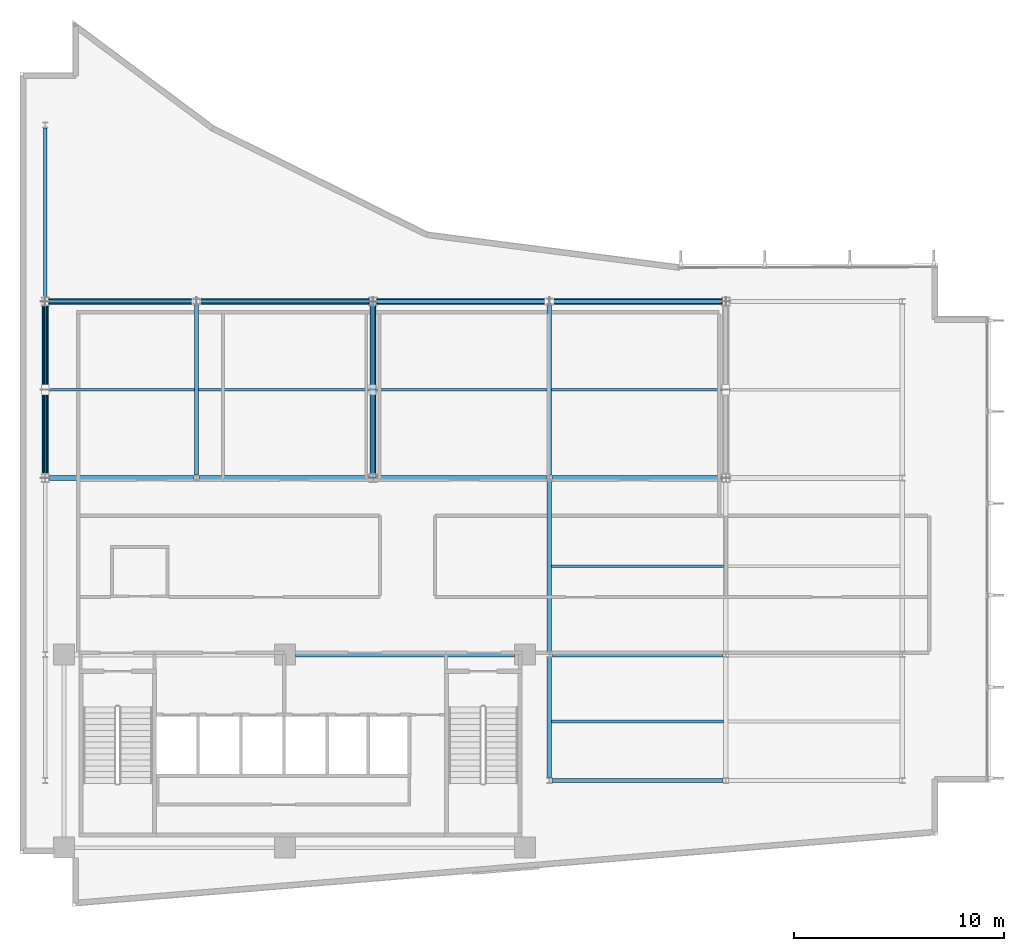
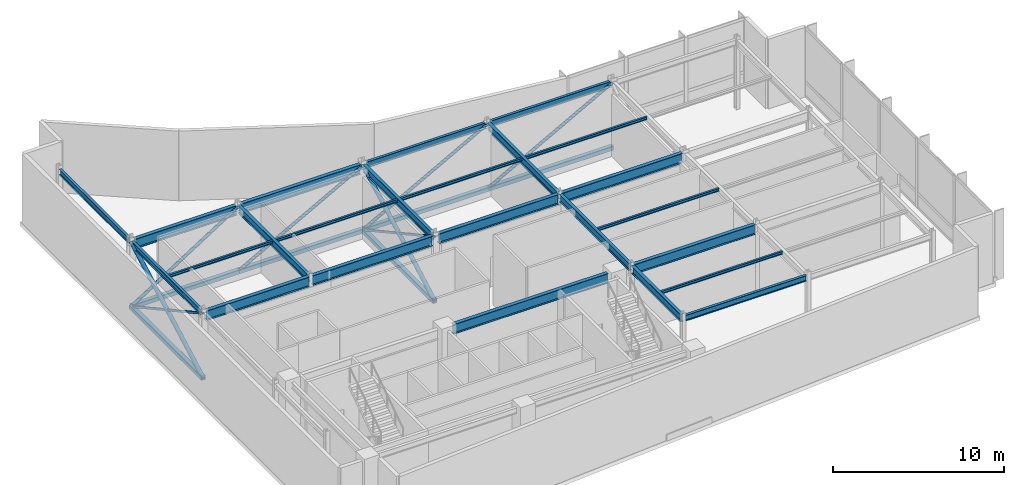
# One storey, part 4 of 15: 24 beams, 16 members.
"""IFC4 building model written with IfcOpenShell, lengths in metres."""

import ifcopenshell
import ifcopenshell.guid

model = None  # the IFC model being written
_history = None  # IfcOwnerHistory: only IFC2X3 demands one
_inside = {}  # id of a spatial element -> (the spatial element, [elements in it])
_under = {}  # id of a project, library or spatial element -> (it, [spatial elements below it])
_declared = {}  # id of a project -> (the project, [libraries it declares])
_typed = {}  # id of a type object -> (the type object, [elements of that type])
_made_of = {}  # id of a material, layer set ... -> (it, [elements and type objects made of it])


def new_model(schema):
    """Start an empty IFC model of exactly this schema.

    Asked for "IFC4X3", IfcOpenShell would pick the latest addendum, in which some entities
    have other attributes; the version numbers below select the first issue.
    IFC2X3 requires an IfcOwnerHistory on every rooted entity: one is made here for all.
    """
    global model, _history
    if schema == "IFC4X3":
        model = ifcopenshell.file(schema_version=(4, 3, 0, 0))
    else:
        model = ifcopenshell.file(schema=schema)
    _inside.clear()
    _under.clear()
    _declared.clear()
    _typed.clear()
    _made_of.clear()
    _history = None
    if model.schema == "IFC2X3":
        org = make("IfcOrganization", Name="unknown")
        user = make(
            "IfcPersonAndOrganization",
            ThePerson=make("IfcPerson", FamilyName="unknown"),
            TheOrganization=org,
        )
        app = make(
            "IfcApplication",
            ApplicationDeveloper=org,
            Version="unknown",
            ApplicationFullName="unknown",
            ApplicationIdentifier="unknown",
        )
        _history = make(
            "IfcOwnerHistory",
            OwningUser=user,
            OwningApplication=app,
            ChangeAction="ADDED",
            CreationDate=0,
        )
    return model


def make(cls, **values):
    """One entity of the class cls with the attributes given. An attribute that is None is left unset."""
    return model.create_entity(
        cls, **{name: value for name, value in values.items() if value is not None}
    )


def rooted(cls, **values):
    """An entity with a GlobalId (a new one), such as an element, a storey or a relation."""
    return make(cls, GlobalId=ifcopenshell.guid.new(), OwnerHistory=_history, **values)


def si_unit(unit_type, name, prefix=None):
    """IfcSIUnit, for example si_unit("LENGTHUNIT", "METRE", prefix="MILLI")."""
    return make("IfcSIUnit", UnitType=unit_type, Prefix=prefix, Name=name)


def assignment(units):
    """IfcUnitAssignment: the units of a project."""
    return None if units is None else make("IfcUnitAssignment", Units=units)


def point(xyz):
    """IfcCartesianPoint."""
    return None if xyz is None else make("IfcCartesianPoint", Coordinates=xyz)


def direction(xyz):
    """IfcDirection."""
    return None if xyz is None else make("IfcDirection", DirectionRatios=xyz)


def frame(location, z_axis=None, x_axis=None):
    """IfcAxis2Placement3D, a coordinate frame: its origin and axes. An axis left out is left unset."""
    return make(
        "IfcAxis2Placement3D",
        Location=point(location),
        Axis=direction(z_axis),
        RefDirection=direction(x_axis),
    )


def frame_2d(location, x_axis=None):
    """IfcAxis2Placement2D, a coordinate frame in the plane: its origin and x axis."""
    return make(
        "IfcAxis2Placement2D", Location=point(location), RefDirection=direction(x_axis)
    )


def origin():
    """The frame at (0, 0, 0) with its axes left unset."""
    return frame((0.0, 0.0, 0.0))


def origin_2d():
    """The frame at (0, 0) in the plane with its x axis left unset."""
    return frame_2d((0.0, 0.0))


def place(relative_to, where):
    """IfcLocalPlacement: puts the frame where relative to a parent placement (None: the world)."""
    return make(
        "IfcLocalPlacement", PlacementRelTo=relative_to, RelativePlacement=where
    )


def context(
    kind, dimensions, precision=None, world=None, true_north=None, identifier=None
):
    """IfcGeometricRepresentationContext, for example the 3D "Model" context."""
    return make(
        "IfcGeometricRepresentationContext",
        ContextIdentifier=identifier,
        ContextType=kind,
        CoordinateSpaceDimension=dimensions,
        Precision=precision,
        WorldCoordinateSystem=world,
        TrueNorth=true_north,
    )


def subcontext(parent, identifier, kind, view, scale=None):
    """IfcGeometricRepresentationSubContext, for example "Body" below "Model"."""
    return make(
        "IfcGeometricRepresentationSubContext",
        ContextIdentifier=identifier,
        ContextType=kind,
        ParentContext=parent,
        TargetScale=scale,
        TargetView=view,
    )


def project(units=None, contexts=None):
    """IfcProject with its units and contexts."""
    return rooted(
        "IfcProject",
        Name="project",
        RepresentationContexts=contexts,
        UnitsInContext=assignment(units),
    )


def spatial(cls, under=None, at=None, **own):
    """A site, building, storey or space (cls), placed at a placement, below another one or the project."""
    s = rooted(cls, ObjectPlacement=at, **own)
    if under is not None:
        _under.setdefault(under.id(), (under, []))[1].append(s)
    return s


def profile(cls, at=None, kind="AREA", **sizes):
    """A parametric profile (cls). Its sizes go by their IFC names, for example OverallWidth=200.0."""
    return make(cls, ProfileType=kind, Position=at, **sizes)


def hollow_rectangle(**sizes):
    """IfcRectangleHollowProfileDef."""
    return profile("IfcRectangleHollowProfileDef", **sizes)


def hollow_circle(**sizes):
    """IfcCircleHollowProfileDef."""
    return profile("IfcCircleHollowProfileDef", **sizes)


def i_section(**sizes):
    """IfcIShapeProfileDef."""
    return profile("IfcIShapeProfileDef", **sizes)


def extrude(swept, where, along, depth):
    """IfcExtrudedAreaSolid: the profile swept, set in the frame where, extruded along a direction by depth."""
    return make(
        "IfcExtrudedAreaSolid",
        SweptArea=swept,
        Position=where,
        ExtrudedDirection=direction(along),
        Depth=depth,
    )


def shape(context_of_items, identifier, shape_type, items):
    """IfcShapeRepresentation: the items that make up one representation, for example the "Body"."""
    return make(
        "IfcShapeRepresentation",
        ContextOfItems=context_of_items,
        RepresentationIdentifier=identifier,
        RepresentationType=shape_type,
        Items=items,
    )


def material(Name=None, Category=None):
    """IfcMaterial."""
    return make("IfcMaterial", Name=Name, Category=Category)


def material_profile(
    of_material, cross_section, Name=None, Category=None, Priority=None
):
    """IfcMaterialProfile: a cross section and its material."""
    return make(
        "IfcMaterialProfile",
        Name=Name,
        Material=of_material,
        Profile=cross_section,
        Priority=Priority,
        Category=Category,
    )


def profile_set(profiles, Name=None, composite=None):
    """IfcMaterialProfileSet."""
    return make(
        "IfcMaterialProfileSet",
        Name=Name,
        MaterialProfiles=profiles,
        CompositeProfile=composite,
    )


def made_of(thing, what):
    """Note that an element or type object is made of a material, layer set ...; save() writes the relation."""
    if what is not None:
        _made_of.setdefault(what.id(), (what, []))[1].append(thing)
    return thing


def type_object(cls, material=None, **own):
    """A type object (cls), such as IfcWallType, which elements share."""
    return made_of(rooted(cls, **own), material)


def element(
    cls,
    number,
    at=None,
    inside=None,
    cuts=None,
    type_object=None,
    material=None,
    context=None,
    identifier="Body",
    shape_type=None,
    held_by="IfcProductDefinitionShape",
    body=None,
    shapes=None,
    **own,
):
    """One element of the class cls, such as IfcWall. Its Tag is "e" and its number.

    at: its placement. inside: the storey or other place that contains it. cuts: it is an
    opening in that element (IfcRelVoidsElement). A single representation is given by context,
    identifier, shape_type and body (its items); several are given by shapes. held_by: the class
    of the entity that holds the representations. save() writes the other relations.
    """
    e = rooted(cls, Tag="e%d" % number, ObjectPlacement=at, **own)
    if body is not None:
        shapes = [shape(context, identifier, shape_type, body)]
    if shapes is not None:
        e.Representation = make(held_by, Representations=shapes)
    if inside is not None:
        _inside.setdefault(inside.id(), (inside, []))[1].append(e)
    if cuts is not None:
        rooted(
            "IfcRelVoidsElement", RelatingBuildingElement=cuts, RelatedOpeningElement=e
        )
    if type_object is not None:
        _typed.setdefault(type_object.id(), (type_object, []))[1].append(e)
    return made_of(e, material)


def aggregate(whole, parts):
    """IfcRelAggregates: a whole, such as a stair, and the parts it consists of."""
    return rooted("IfcRelAggregates", RelatingObject=whole, RelatedObjects=parts)


def save(model, path):
    """Write the relations noted so far, then the file.

    IfcRelAggregates (storeys below a building ...), IfcRelContainedInSpatialStructure (elements
    in a storey), IfcRelDefinesByType, IfcRelAssociatesMaterial and IfcRelDeclares: one each for
    every whole, place, type object, material and project.
    """
    for whole, parts in _under.values():
        aggregate(whole, parts)
    for where, things in _inside.values():
        rooted(
            "IfcRelContainedInSpatialStructure",
            RelatedElements=things,
            RelatingStructure=where,
        )
    for kind, things in _typed.values():
        rooted("IfcRelDefinesByType", RelatedObjects=things, RelatingType=kind)
    for what, things in _made_of.values():
        rooted("IfcRelAssociatesMaterial", RelatedObjects=things, RelatingMaterial=what)
    for by, libraries in _declared.values():
        rooted("IfcRelDeclares", RelatingContext=by, RelatedDefinitions=libraries)
    model.write(path)


model = new_model("IFC4")

# Units and contexts
model_context = context("Model", 3, precision=1e-05, world=origin(), true_north=direction((0.0, 1.0)))
body_context = subcontext(model_context, "Body", "Model", "MODEL_VIEW")
ifc_project = project(units=[si_unit("LENGTHUNIT", "METRE"), si_unit("AREAUNIT", "SQUARE_METRE"), si_unit("VOLUMEUNIT", "CUBIC_METRE"), si_unit("PLANEANGLEUNIT", "RADIAN"), si_unit("MASSUNIT", "GRAM", prefix="KILO")], contexts=[model_context])

# Site, building, storey
site_placement = place(None, origin())
site = spatial("IfcSite", under=ifc_project, at=site_placement, CompositionType="ELEMENT")
building_placement = place(site_placement, origin())
building = spatial("IfcBuilding", under=site, at=building_placement, Name="Varnakote Quay Hospital", CompositionType="ELEMENT")
storey_placement = place(building_placement, frame((0.0, 0.0, 235.550048828125)))
storey = spatial("IfcBuildingStorey", under=building, at=storey_placement, Name="L58", CompositionType="ELEMENT", Elevation=235.550048828125)

# Beams
ifc_material_1 = material(Name="Structural steel AS/NZS 3679.1 Grade 350 L0 (fy 340 MPa)", Category="steel")
ifc_material_profile_1 = material_profile(ifc_material_1, i_section(OverallWidth=0.208984375, OverallDepth=0.528076171875, WebThickness=0.009521484375, FlangeThickness=0.01318359375, FilletRadius=0.013916015625, at=origin_2d()), Name="530UB82.0")
ifc_profile_set_1 = profile_set([ifc_material_profile_1], Name="Structural steel AS/NZS 3679.1 Grade 350 L0 (fy 340 MPa)")
beam_type_1 = type_object("IfcBeamType", Name="BM-STL-530UB82-0", PredefinedType="BEAM", material=ifc_profile_set_1)
beam_1_placement = place(storey_placement, frame((8.39990234375, 20.530029296875, 4.696044921875), z_axis=(0.0, 1.0, 0.0), x_axis=(-1.0, 0.0, 0.0)))
element("IfcBeam", 1, at=beam_1_placement, inside=storey, type_object=beam_type_1, Name="L58 Primary Tie Beam", PredefinedType="BEAM", context=body_context, shape_type="SweptSolid", body=[
    extrude(i_section(OverallWidth=0.208984375, OverallDepth=0.528076171875, WebThickness=0.009521484375, FlangeThickness=0.01318359375, FilletRadius=0.013916015625, at=origin_2d()), origin(), (0.0, 0.0, 1.0), 8.139892578125),
])
beam_2_placement = place(storey_placement, frame((16.800048828125, 20.60205078125, 4.696044921875), z_axis=(0.0, 1.0, 0.0), x_axis=(-1.0, 0.0, 0.0)))
element("IfcBeam", 2, at=beam_2_placement, inside=storey, type_object=beam_type_1, Name="L58 Primary Tie Beam", PredefinedType="BEAM", context=body_context, shape_type="SweptSolid", body=[
    extrude(i_section(OverallWidth=0.208984375, OverallDepth=0.528076171875, WebThickness=0.009521484375, FlangeThickness=0.01318359375, FilletRadius=0.013916015625, at=origin_2d()), origin(), (0.0, 0.0, 1.0), 7.995849609375),
])
beam_3_placement = place(storey_placement, frame((25.199951171875, 6.1298828125, 4.696044921875), z_axis=(0.0, 1.0, 0.0), x_axis=(-1.0, 0.0, 0.0)))
element("IfcBeam", 3, at=beam_3_placement, inside=storey, type_object=beam_type_1, Name="L58 Primary Tie Beam", PredefinedType="BEAM", context=body_context, shape_type="SweptSolid", body=[
    extrude(i_section(OverallWidth=0.208984375, OverallDepth=0.528076171875, WebThickness=0.009521484375, FlangeThickness=0.01318359375, FilletRadius=0.013916015625, at=origin_2d()), origin(), (0.0, 0.0, 1.0), 5.740234375),
])
beam_4_placement = place(storey_placement, frame((25.199951171875, 12.1298828125, 4.696044921875), z_axis=(0.0, 1.0, 0.0), x_axis=(-1.0, 0.0, 0.0)))
element("IfcBeam", 4, at=beam_4_placement, inside=storey, type_object=beam_type_1, Name="L58 Primary Tie Beam", PredefinedType="BEAM", context=body_context, shape_type="SweptSolid", body=[
    extrude(i_section(OverallWidth=0.208984375, OverallDepth=0.528076171875, WebThickness=0.009521484375, FlangeThickness=0.01318359375, FilletRadius=0.013916015625, at=origin_2d()), origin(), (0.0, 0.0, 1.0), 8.14013671875),
])
beam_5_placement = place(storey_placement, frame((25.199951171875, 20.530029296875, 4.696044921875), z_axis=(0.0, 1.0, 0.0), x_axis=(-1.0, 0.0, 0.0)))
element("IfcBeam", 5, at=beam_5_placement, inside=storey, type_object=beam_type_1, Name="L58 Primary Tie Beam", PredefinedType="BEAM", context=body_context, shape_type="SweptSolid", body=[
    extrude(i_section(OverallWidth=0.208984375, OverallDepth=0.528076171875, WebThickness=0.009521484375, FlangeThickness=0.01318359375, FilletRadius=0.013916015625, at=origin_2d()), origin(), (0.0, 0.0, 1.0), 8.139892578125),
])
ifc_material_2 = material(Name="Structural steel AS/NZS 3678 Grade 350 (fy 340 MPa)", Category="steel")
ifc_material_profile_2 = material_profile(ifc_material_2, i_section(OverallWidth=0.25, OverallDepth=0.699951171875, WebThickness=0.010009765625, FlangeThickness=0.02001953125, at=origin_2d()), Name="700WB130")
ifc_profile_set_2 = profile_set([ifc_material_profile_2], Name="Structural steel AS/NZS 3678 Grade 350 (fy 340 MPa)")
beam_type_2 = type_object("IfcBeamType", Name="BM-STL-700WB130", PredefinedType="BEAM", material=ifc_profile_set_2)
beam_6_placement = place(storey_placement, frame((13.1201171875, 12.0, 4.60986328125), z_axis=(1.0, 0.0, 0.0), x_axis=(0.0, 1.0, 0.0)))
element("IfcBeam", 6, at=beam_6_placement, inside=storey, type_object=beam_type_2, Name="L58 Primary Floor Beam", PredefinedType="BEAM", context=body_context, shape_type="SweptSolid", body=[
    extrude(i_section(OverallWidth=0.25, OverallDepth=0.699951171875, WebThickness=0.010009765625, FlangeThickness=0.02001953125, at=origin_2d()), origin(), (0.0, 0.0, 1.0), 10.429931640625),
])
beam_7_placement = place(storey_placement, frame((25.327880859375, 12.0, 4.60986328125), z_axis=(1.0, 0.0, 0.0), x_axis=(0.0, 1.0, 0.0)))
element("IfcBeam", 7, at=beam_7_placement, inside=storey, type_object=beam_type_2, Name="L58 Primary Floor Beam", PredefinedType="BEAM", context=body_context, shape_type="SweptSolid", body=[
    extrude(i_section(OverallWidth=0.25, OverallDepth=0.699951171875, WebThickness=0.010009765625, FlangeThickness=0.02001953125, at=origin_2d()), origin(), (0.0, 0.0, 1.0), 8.14404296875),
])
beam_8_placement = place(storey_placement, frame((1.39990234375, 20.39990234375, 4.60986328125), z_axis=(1.0, 0.0, 0.0), x_axis=(0.0, 1.0, 0.0)))
element("IfcBeam", 8, at=beam_8_placement, inside=storey, type_object=beam_type_2, Name="L58 Primary Floor Beam", PredefinedType="BEAM", context=body_context, shape_type="SweptSolid", body=[
    extrude(i_section(OverallWidth=0.25, OverallDepth=0.699951171875, WebThickness=0.010009765625, FlangeThickness=0.02001953125, at=origin_2d()), origin(), (0.0, 0.0, 1.0), 6.8720703125),
])
for number, where, z_axis, x_axis, name in (
    (9, (8.528076171875, 20.39990234375, 4.60986328125), (1.0, 0.0, 0.0), (0.0, 1.0, 0.0), "L58 Primary Floor Beam"),
    (10, (17.0, 20.39990234375, 4.60986328125), (1.0, 0.0, 0.0), (0.0, 1.0, 0.0), "L58 Primary Floor Beam"),
    (11, (25.327880859375, 20.39990234375, 4.60986328125), (1.0, 0.0, 0.0), (0.0, 1.0, 0.0), "L58 Primary Floor Beam"),
):
    element("IfcBeam", number, at=place(storey_placement, frame(where, z_axis=z_axis, x_axis=x_axis)), inside=storey, type_object=beam_type_2, Name=name, PredefinedType="BEAM", context=body_context, shape_type="SweptSolid", body=[
        extrude(i_section(OverallWidth=0.25, OverallDepth=0.699951171875, WebThickness=0.010009765625, FlangeThickness=0.02001953125, at=origin_2d()), origin(), (0.0, 0.0, 1.0), 8.072021484375),
    ])
beam_9_placement = place(storey_placement, frame((1.39990234375, 28.800048828125, 4.60986328125), z_axis=(1.0, 0.0, 0.0), x_axis=(0.0, 1.0, 0.0)))
element("IfcBeam", 12, at=beam_9_placement, inside=storey, type_object=beam_type_2, Name="L58 Primary Floor Beam", PredefinedType="BEAM", context=body_context, shape_type="SweptSolid", body=[
    extrude(i_section(OverallWidth=0.25, OverallDepth=0.699951171875, WebThickness=0.010009765625, FlangeThickness=0.02001953125, at=origin_2d()), origin(), (0.0, 0.0, 1.0), 6.8720703125),
])
beam_10_placement = place(storey_placement, frame((8.528076171875, 28.800048828125, 4.60986328125), z_axis=(1.0, 0.0, 0.0), x_axis=(0.0, 1.0, 0.0)))
element("IfcBeam", 13, at=beam_10_placement, inside=storey, type_object=beam_type_2, Name="L58 Primary Floor Beam", PredefinedType="BEAM", context=body_context, shape_type="SweptSolid", body=[
    extrude(i_section(OverallWidth=0.25, OverallDepth=0.699951171875, WebThickness=0.010009765625, FlangeThickness=0.02001953125, at=origin_2d()), origin(), (0.0, 0.0, 1.0), 8.072021484375),
])
ifc_material_3 = material(Name="Structural steel AS/NZS 3679.1 Grade 350 L0 (fy 340 MPa)", Category="steel")
ifc_material_profile_3 = material_profile(ifc_material_3, i_section(OverallWidth=0.134033203125, OverallDepth=0.20703125, WebThickness=0.00634765625, FlangeThickness=0.009521484375, FilletRadius=0.0087890625, at=origin_2d()), Name="200UB29.8")
ifc_profile_set_3 = profile_set([ifc_material_profile_3], Name="Structural steel AS/NZS 3679.1 Grade 350 L0 (fy 340 MPa)")
beam_type_3 = type_object("IfcBeamType", Name="JST-STL-200UB29-8", PredefinedType="JOIST", material=ifc_profile_set_3)
for number, where, z_axis, x_axis, name in (
    (14, (25.304443359375, 8.800048828125, 4.8564453125), (1.0, 0.0, 0.0), (0.0, 1.0, 0.0), "L58 Composite Floor Joist"),
    (15, (25.304443359375, 16.199951171875, 4.8564453125), (1.0, 0.0, 0.0), (0.0, 1.0, 0.0), "L58 Composite Floor Joist"),
):
    element("IfcBeam", number, at=place(storey_placement, frame(where, z_axis=z_axis, x_axis=x_axis)), inside=storey, type_object=beam_type_3, Name=name, PredefinedType="JOIST", context=body_context, shape_type="SweptSolid", body=[
        extrude(i_section(OverallWidth=0.134033203125, OverallDepth=0.20703125, WebThickness=0.00634765625, FlangeThickness=0.009521484375, FilletRadius=0.0087890625, at=origin_2d()), origin(), (0.0, 0.0, 1.0), 8.191162109375),
    ])
beam_11_placement = place(storey_placement, frame((1.2890625, 24.60009765625, 4.8564453125), z_axis=(1.0, 0.0, 0.0), x_axis=(0.0, 1.0, 0.0)))
element("IfcBeam", 16, at=beam_11_placement, inside=storey, type_object=beam_type_3, Name="L58 Composite Floor Joist", PredefinedType="JOIST", context=body_context, shape_type="SweptSolid", body=[
    extrude(i_section(OverallWidth=0.134033203125, OverallDepth=0.20703125, WebThickness=0.00634765625, FlangeThickness=0.009521484375, FilletRadius=0.0087890625, at=origin_2d()), origin(), (0.0, 0.0, 1.0), 7.00634765625),
])
beam_12_placement = place(storey_placement, frame((8.50439453125, 24.60009765625, 4.8564453125), z_axis=(1.0, 0.0, 0.0), x_axis=(0.0, 1.0, 0.0)))
element("IfcBeam", 17, at=beam_12_placement, inside=storey, type_object=beam_type_3, Name="L58 Composite Floor Joist", PredefinedType="JOIST", context=body_context, shape_type="SweptSolid", body=[
    extrude(i_section(OverallWidth=0.134033203125, OverallDepth=0.20703125, WebThickness=0.00634765625, FlangeThickness=0.009521484375, FilletRadius=0.0087890625, at=origin_2d()), origin(), (0.0, 0.0, 1.0), 8.191162109375),
])
beam_13_placement = place(storey_placement, frame((16.904541015625, 24.60009765625, 4.8564453125), z_axis=(1.0, 0.0, 0.0), x_axis=(0.0, 1.0, 0.0)))
element("IfcBeam", 18, at=beam_13_placement, inside=storey, type_object=beam_type_3, Name="L58 Composite Floor Joist", PredefinedType="JOIST", context=body_context, shape_type="SweptSolid", body=[
    extrude(i_section(OverallWidth=0.134033203125, OverallDepth=0.20703125, WebThickness=0.00634765625, FlangeThickness=0.009521484375, FilletRadius=0.0087890625, at=origin_2d()), origin(), (0.0, 0.0, 1.0), 8.19091796875),
])
beam_14_placement = place(storey_placement, frame((25.304443359375, 24.60009765625, 4.8564453125), z_axis=(1.0, 0.0, 0.0), x_axis=(0.0, 1.0, 0.0)))
element("IfcBeam", 19, at=beam_14_placement, inside=storey, type_object=beam_type_3, Name="L58 Composite Floor Joist", PredefinedType="JOIST", context=body_context, shape_type="SweptSolid", body=[
    extrude(i_section(OverallWidth=0.134033203125, OverallDepth=0.20703125, WebThickness=0.00634765625, FlangeThickness=0.009521484375, FilletRadius=0.0087890625, at=origin_2d()), origin(), (0.0, 0.0, 1.0), 8.191162109375),
])

# Members
ifc_material_4 = material(Name="Structural steel AS/NZS 1163 Grade 350 C350L0 (fy 350 MPa)", Category="steel")
ifc_material_profile_4 = material_profile(ifc_material_4, hollow_circle(Radius=0.109619140625, WallThickness=0.00830078125, at=origin_2d()), Name="219.1x8.2CHS")
ifc_profile_set_4 = profile_set([ifc_material_profile_4], Name="Structural steel AS/NZS 1163 Grade 350 C350L0 (fy 350 MPa)")
member_type_1 = type_object("IfcMemberType", Name="MBR-BRC-219-1x8-2CHS", PredefinedType="BRACE", material=ifc_profile_set_4)
member_1_placement = place(storey_placement, frame((1.199951171875, 28.800048828125, 0.179931640625), z_axis=(0.842689417531, 0.0, 0.53839998661), x_axis=(0.0, 1.0, 0.0)))
element("IfcMember", 20, at=member_1_placement, inside=storey, type_object=member_type_1, Name="L58 Belt Truss Diagonal Brace", PredefinedType="BRACE", context=body_context, shape_type="SweptSolid", body=[
    extrude(hollow_circle(Radius=0.109619140625, WallThickness=0.00830078125, at=origin_2d()), origin(), (0.0, 0.0, 1.0), 8.5439453125),
])
member_2_placement = place(storey_placement, frame((8.39990234375, 28.800048828125, 0.179931640625), z_axis=(0.877095500753, 0.0, 0.480316023634), x_axis=(0.0, 1.0, 0.0)))
element("IfcMember", 21, at=member_2_placement, inside=storey, type_object=member_type_1, Name="L58 Belt Truss Diagonal Brace", PredefinedType="BRACE", context=body_context, shape_type="SweptSolid", body=[
    extrude(hollow_circle(Radius=0.109619140625, WallThickness=0.00830078125, at=origin_2d()), origin(), (0.0, 0.0, 1.0), 9.5771484375),
])
member_3_placement = place(storey_placement, frame((16.800048828125, 28.800048828125, 0.179931640625), z_axis=(0.877089619514, 0.0, 0.48032676309), x_axis=(0.0, 1.0, 0.0)))
element("IfcMember", 22, at=member_3_placement, inside=storey, type_object=member_type_1, Name="L58 Belt Truss Diagonal Brace", PredefinedType="BRACE", context=body_context, shape_type="SweptSolid", body=[
    extrude(hollow_circle(Radius=0.109619140625, WallThickness=0.00830078125, at=origin_2d()), origin(), (0.0, 0.0, 1.0), 9.576904296875),
])
member_4_placement = place(storey_placement, frame((25.199951171875, 28.800048828125, 0.179931640625), z_axis=(0.877095500753, 0.0, 0.480316023634), x_axis=(0.0, 1.0, 0.0)))
element("IfcMember", 23, at=member_4_placement, inside=storey, type_object=member_type_1, Name="L58 Belt Truss Diagonal Brace", PredefinedType="BRACE", context=body_context, shape_type="SweptSolid", body=[
    extrude(hollow_circle(Radius=0.109619140625, WallThickness=0.00830078125, at=origin_2d()), origin(), (0.0, 0.0, 1.0), 9.5771484375),
])
ifc_material_5 = material(Name="Structural steel AS/NZS 1163 Grade 350 C350L0 (fy 350 MPa)", Category="steel")
ifc_material_profile_5 = material_profile(ifc_material_5, hollow_circle(Radius=0.136474609375, WallThickness=0.00927734375, at=origin_2d()), Name="273.1x9.3CHS")
ifc_profile_set_5 = profile_set([ifc_material_profile_5], Name="Structural steel AS/NZS 1163 Grade 350 C350L0 (fy 350 MPa)")
member_type_2 = type_object("IfcMemberType", Name="MBR-BRC-273-1x9-3CHS", PredefinedType="BRACE", material=ifc_profile_set_5)
for number, where, z_axis, x_axis, name in (
    (24, (1.199951171875, 20.39990234375, 0.179931640625), (0.0, 0.877095500753, 0.480316023634), (-1.0, 0.0, 0.0), "L58 Outrigger Truss Continuous Primary Diagonal Brace"),
    (25, (16.800048828125, 20.39990234375, 0.179931640625), (0.0, 0.877095500753, 0.480316023634), (-1.0, 0.0, 0.0), "L58 Outrigger Truss Continuous Primary Diagonal Brace"),
):
    element("IfcMember", number, at=place(storey_placement, frame(where, z_axis=z_axis, x_axis=x_axis)), inside=storey, type_object=member_type_2, Name=name, PredefinedType="BRACE", context=body_context, shape_type="SweptSolid", body=[
        extrude(hollow_circle(Radius=0.136474609375, WallThickness=0.00927734375, at=origin_2d()), origin(), (0.0, 0.0, 1.0), 9.5771484375),
    ])
ifc_material_6 = material(Name="Structural steel AS/NZS 1163 Grade 350 C350L0 (fy 350 MPa)", Category="steel")
ifc_material_profile_6 = material_profile(ifc_material_6, hollow_rectangle(XDim=0.300048828125, YDim=0.300048828125, WallThickness=0.01611328125, InnerFilletRadius=0.01611328125, OuterFilletRadius=0.031982421875, at=origin_2d()), Name="300x300x16.0SHS")
ifc_profile_set_6 = profile_set([ifc_material_profile_6], Name="Structural steel AS/NZS 1163 Grade 350 C350L0 (fy 350 MPa)")
member_type_3 = type_object("IfcMemberType", Name="MBR-CHD-300x300x16-0SHS", PredefinedType="CHORD", material=ifc_profile_set_6)
for number, where, z_axis, x_axis, name in (
    (26, (1.199951171875, 20.39990234375, 0.179931640625), (0.0, 1.0, 0.0), (-1.0, 0.0, 0.0), "L58 Outrigger Truss Bottom Chord"),
    (27, (16.800048828125, 20.39990234375, 0.179931640625), (0.0, 1.0, 0.0), (-1.0, 0.0, 0.0), "L58 Outrigger Truss Bottom Chord"),
):
    element("IfcMember", number, at=place(storey_placement, frame(where, z_axis=z_axis, x_axis=x_axis)), inside=storey, type_object=member_type_3, Name=name, PredefinedType="CHORD", context=body_context, shape_type="SweptSolid", body=[
        extrude(hollow_rectangle(XDim=0.300048828125, YDim=0.300048828125, WallThickness=0.01611328125, InnerFilletRadius=0.01611328125, OuterFilletRadius=0.031982421875, at=origin_2d()), origin(), (0.0, 0.0, 1.0), 8.400146484375),
    ])
member_5_placement = place(storey_placement, frame((1.199951171875, 28.800048828125, 0.179931640625), z_axis=(1.0, 0.0, 0.0), x_axis=(0.0, 1.0, 0.0)))
element("IfcMember", 28, at=member_5_placement, inside=storey, type_object=member_type_3, Name="L58 Belt Truss Bottom Chord", PredefinedType="CHORD", context=body_context, shape_type="SweptSolid", body=[
    extrude(hollow_rectangle(XDim=0.300048828125, YDim=0.300048828125, WallThickness=0.01611328125, InnerFilletRadius=0.01611328125, OuterFilletRadius=0.031982421875, at=origin_2d()), origin(), (0.0, 0.0, 1.0), 7.199951171875),
])
member_6_placement = place(storey_placement, frame((8.39990234375, 28.800048828125, 0.179931640625), z_axis=(1.0, 0.0, 0.0), x_axis=(0.0, 1.0, 0.0)))
element("IfcMember", 29, at=member_6_placement, inside=storey, type_object=member_type_3, Name="L58 Belt Truss Bottom Chord", PredefinedType="CHORD", context=body_context, shape_type="SweptSolid", body=[
    extrude(hollow_rectangle(XDim=0.300048828125, YDim=0.300048828125, WallThickness=0.01611328125, InnerFilletRadius=0.01611328125, OuterFilletRadius=0.031982421875, at=origin_2d()), origin(), (0.0, 0.0, 1.0), 8.400146484375),
])
member_7_placement = place(storey_placement, frame((16.800048828125, 28.800048828125, 0.179931640625), z_axis=(1.0, 0.0, 0.0), x_axis=(0.0, 1.0, 0.0)))
element("IfcMember", 30, at=member_7_placement, inside=storey, type_object=member_type_3, Name="L58 Belt Truss Bottom Chord", PredefinedType="CHORD", context=body_context, shape_type="SweptSolid", body=[
    extrude(hollow_rectangle(XDim=0.300048828125, YDim=0.300048828125, WallThickness=0.01611328125, InnerFilletRadius=0.01611328125, OuterFilletRadius=0.031982421875, at=origin_2d()), origin(), (0.0, 0.0, 1.0), 8.39990234375),
])
member_8_placement = place(storey_placement, frame((25.199951171875, 28.800048828125, 0.179931640625), z_axis=(1.0, 0.0, 0.0), x_axis=(0.0, 1.0, 0.0)))
element("IfcMember", 31, at=member_8_placement, inside=storey, type_object=member_type_3, Name="L58 Belt Truss Bottom Chord", PredefinedType="CHORD", context=body_context, shape_type="SweptSolid", body=[
    extrude(hollow_rectangle(XDim=0.300048828125, YDim=0.300048828125, WallThickness=0.01611328125, InnerFilletRadius=0.01611328125, OuterFilletRadius=0.031982421875, at=origin_2d()), origin(), (0.0, 0.0, 1.0), 8.400146484375),
])
ifc_material_7 = material(Name="Structural steel AS/NZS 1163 Grade 350 C350L0 (fy 350 MPa)", Category="steel")
ifc_material_profile_7 = material_profile(ifc_material_7, hollow_rectangle(XDim=0.10009765625, YDim=0.14990234375, WallThickness=0.006103515625, InnerFilletRadius=0.006103515625, OuterFilletRadius=0.011962890625, at=origin_2d()), Name="150x100x6.0RHS")
ifc_profile_set_7 = profile_set([ifc_material_profile_7], Name="Structural steel AS/NZS 1163 Grade 350 C350L0 (fy 350 MPa)")
member_type_4 = type_object("IfcMemberType", Name="MBR-PST-150x100x6-0RHS", PredefinedType="POST", material=ifc_profile_set_7)
member_9_placement = place(storey_placement, frame((1.199951171875, 28.800048828125, 0.179931640625), z_axis=(0.0, -0.877089619514, 0.48032676309), x_axis=(1.0, 0.0, 0.0)))
element("IfcMember", 32, at=member_9_placement, inside=storey, type_object=member_type_4, Name="L58 Outrigger Truss Split Lower Counter Brace", PredefinedType="POST", context=body_context, shape_type="SweptSolid", body=[
    extrude(hollow_rectangle(XDim=0.10009765625, YDim=0.14990234375, WallThickness=0.006103515625, InnerFilletRadius=0.006103515625, OuterFilletRadius=0.011962890625, at=origin_2d()), origin(), (0.0, 0.0, 1.0), 4.78857421875),
])
member_10_placement = place(storey_placement, frame((1.199951171875, 24.60009765625, 2.47998046875), z_axis=(0.0, -0.877101381597, 0.480305284586), x_axis=(1.0, 0.0, 0.0)))
element("IfcMember", 33, at=member_10_placement, inside=storey, type_object=member_type_4, Name="L58 Outrigger Truss Split Upper Counter Brace", PredefinedType="POST", context=body_context, shape_type="SweptSolid", body=[
    extrude(hollow_rectangle(XDim=0.10009765625, YDim=0.14990234375, WallThickness=0.006103515625, InnerFilletRadius=0.006103515625, OuterFilletRadius=0.011962890625, at=origin_2d()), origin(), (0.0, 0.0, 1.0), 4.788818359375),
])
member_11_placement = place(storey_placement, frame((16.800048828125, 28.800048828125, 0.179931640625), z_axis=(0.0, -0.877089619514, 0.48032676309), x_axis=(1.0, 0.0, 0.0)))
element("IfcMember", 34, at=member_11_placement, inside=storey, type_object=member_type_4, Name="L58 Outrigger Truss Split Lower Counter Brace", PredefinedType="POST", context=body_context, shape_type="SweptSolid", body=[
    extrude(hollow_rectangle(XDim=0.10009765625, YDim=0.14990234375, WallThickness=0.006103515625, InnerFilletRadius=0.006103515625, OuterFilletRadius=0.011962890625, at=origin_2d()), origin(), (0.0, 0.0, 1.0), 4.78857421875),
])
member_12_placement = place(storey_placement, frame((16.800048828125, 24.60009765625, 2.47998046875), z_axis=(0.0, -0.877101381597, 0.480305284586), x_axis=(1.0, 0.0, 0.0)))
element("IfcMember", 35, at=member_12_placement, inside=storey, type_object=member_type_4, Name="L58 Outrigger Truss Split Upper Counter Brace", PredefinedType="POST", context=body_context, shape_type="SweptSolid", body=[
    extrude(hollow_rectangle(XDim=0.10009765625, YDim=0.14990234375, WallThickness=0.006103515625, InnerFilletRadius=0.006103515625, OuterFilletRadius=0.011962890625, at=origin_2d()), origin(), (0.0, 0.0, 1.0), 4.788818359375),
])

# Beams
ifc_material_8 = material(Name="Structural steel AS/NZS 3679.1 Grade 350 L0 (fy 340 MPa)", Category="steel")
ifc_material_profile_8 = material_profile(ifc_material_8, i_section(OverallWidth=0.177978515625, OverallDepth=0.403076171875, WebThickness=0.007568359375, FlangeThickness=0.010986328125, FilletRadius=0.011474609375, at=origin_2d()), Name="410UB53.7")
ifc_profile_set_8 = profile_set([ifc_material_profile_8], Name="Structural steel AS/NZS 3679.1 Grade 350 L0 (fy 340 MPa)")
beam_type_4 = type_object("IfcBeamType", Name="SPN-STL-410UB53-7", PredefinedType="SPANDREL", material=ifc_profile_set_8)
beam_15_placement = place(storey_placement, frame((1.199951171875, 20.60205078125, 4.758544921875), z_axis=(0.0, 1.0, 0.0), x_axis=(-1.0, 0.0, 0.0)))
element("IfcBeam", 36, at=beam_15_placement, inside=storey, type_object=beam_type_4, Name="L58 Perimeter Spandrel Beam", PredefinedType="SPANDREL", context=body_context, shape_type="SweptSolid", body=[
    extrude(i_section(OverallWidth=0.177978515625, OverallDepth=0.403076171875, WebThickness=0.007568359375, FlangeThickness=0.010986328125, FilletRadius=0.011474609375, at=origin_2d()), origin(), (0.0, 0.0, 1.0), 7.995849609375),
])
beam_16_placement = place(storey_placement, frame((1.199951171875, 29.001953125, 4.758544921875), z_axis=(0.0, 1.0, 0.0), x_axis=(-1.0, 0.0, 0.0)))
element("IfcBeam", 37, at=beam_16_placement, inside=storey, type_object=beam_type_4, Name="L58 Perimeter Spandrel Beam", PredefinedType="SPANDREL", context=body_context, shape_type="SweptSolid", body=[
    extrude(i_section(OverallWidth=0.177978515625, OverallDepth=0.403076171875, WebThickness=0.007568359375, FlangeThickness=0.010986328125, FilletRadius=0.011474609375, at=origin_2d()), origin(), (0.0, 0.0, 1.0), 8.068115234375),
])
ifc_material_9 = material(Name="Structural steel AS/NZS 3679.1 Grade 350 L0 (fy 340 MPa)", Category="steel")
ifc_material_profile_9 = material_profile(ifc_material_9, i_section(OverallWidth=0.177978515625, OverallDepth=0.406005859375, WebThickness=0.0078125, FlangeThickness=0.0126953125, FilletRadius=0.011474609375, at=origin_2d()), Name="410UB59.7")
ifc_profile_set_9 = profile_set([ifc_material_profile_9], Name="Structural steel AS/NZS 3679.1 Grade 350 L0 (fy 340 MPa)")
beam_type_5 = type_object("IfcBeamType", Name="SPN-STL-410UB59-7", PredefinedType="SPANDREL", material=ifc_profile_set_9)
beam_17_placement = place(storey_placement, frame((25.327880859375, 6.0, 4.7568359375), z_axis=(1.0, 0.0, 0.0), x_axis=(0.0, 1.0, 0.0)))
element("IfcBeam", 38, at=beam_17_placement, inside=storey, type_object=beam_type_5, Name="L58 Perimeter Spandrel Beam", PredefinedType="SPANDREL", context=body_context, shape_type="SweptSolid", body=[
    extrude(i_section(OverallWidth=0.177978515625, OverallDepth=0.406005859375, WebThickness=0.0078125, FlangeThickness=0.0126953125, FilletRadius=0.011474609375, at=origin_2d()), origin(), (0.0, 0.0, 1.0), 8.14404296875),
])
for number, where, z_axis, x_axis, name in (
    (39, (17.0, 28.800048828125, 4.7568359375), (1.0, 0.0, 0.0), (0.0, 1.0, 0.0), "L58 Perimeter Spandrel Beam"),
    (40, (25.327880859375, 28.800048828125, 4.7568359375), (1.0, 0.0, 0.0), (0.0, 1.0, 0.0), "L58 Perimeter Spandrel Beam"),
):
    element("IfcBeam", number, at=place(storey_placement, frame(where, z_axis=z_axis, x_axis=x_axis)), inside=storey, type_object=beam_type_5, Name=name, PredefinedType="SPANDREL", context=body_context, shape_type="SweptSolid", body=[
        extrude(i_section(OverallWidth=0.177978515625, OverallDepth=0.406005859375, WebThickness=0.0078125, FlangeThickness=0.0126953125, FilletRadius=0.011474609375, at=origin_2d()), origin(), (0.0, 0.0, 1.0), 8.072021484375),
    ])

save(model, "model.ifc")
